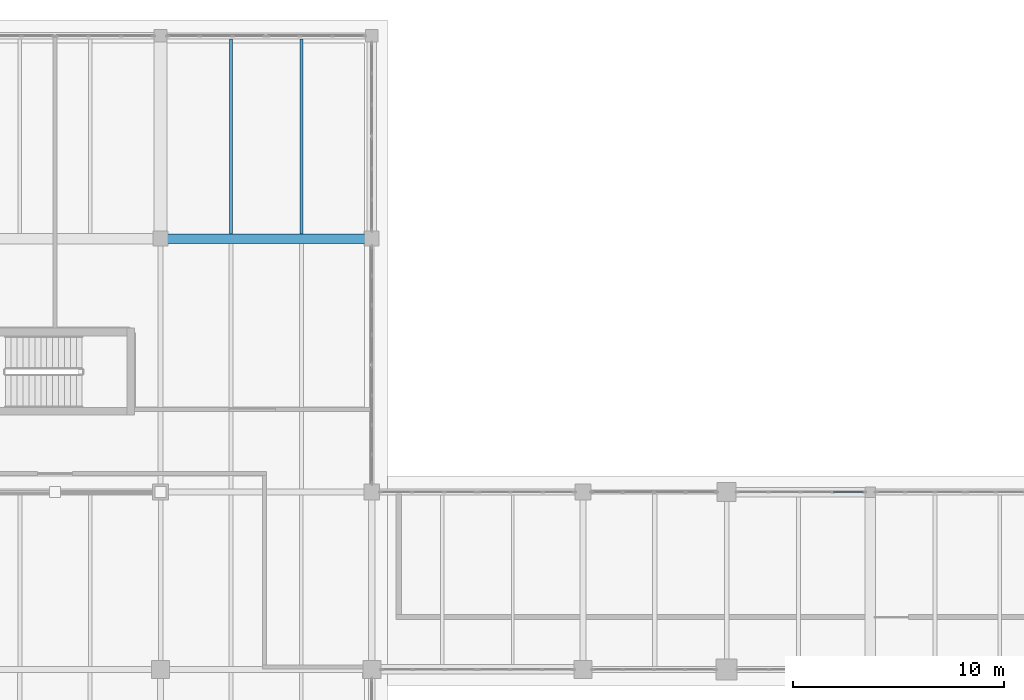
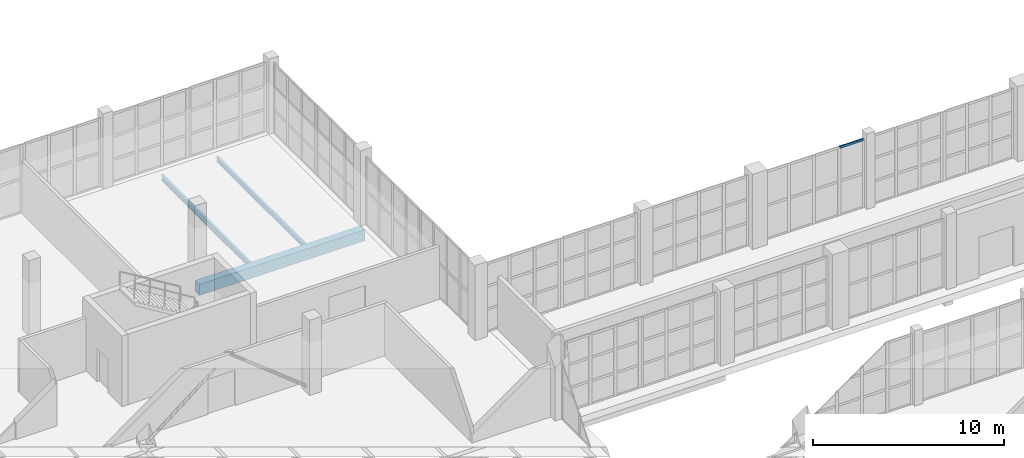
# One storey, part 53 of 121: 3 beams, 1 member, 1 element without a shape of its own.
"""IFC4 building model written with IfcOpenShell, lengths in metres."""

from ifc_helpers import new_model, si_unit, direction, frame, origin, origin_2d, place, context, subcontext, project, spatial, rectangle, i_section, extrude, material, layer, layer_set, material_profile, profile_set, type_object, element, aggregate, save


model = new_model("IFC4")

# Units and contexts
model_context = context("Model", 3, precision=1e-05, world=origin(), true_north=direction((0.0, 1.0)))
body_context = subcontext(model_context, "Body", "Model", "MODEL_VIEW")
ifc_project = project(units=[si_unit("LENGTHUNIT", "METRE"), si_unit("AREAUNIT", "SQUARE_METRE"), si_unit("VOLUMEUNIT", "CUBIC_METRE"), si_unit("PLANEANGLEUNIT", "RADIAN"), si_unit("MASSUNIT", "GRAM", prefix="KILO")], contexts=[model_context])

# Site, building, storey
site_placement = place(None, origin())
site = spatial("IfcSite", under=ifc_project, at=site_placement, CompositionType="ELEMENT")
building_placement = place(site_placement, origin())
building = spatial("IfcBuilding", under=site, at=building_placement, Name="Zereglee Splitstone Museum", CompositionType="ELEMENT")
storey_placement = place(building_placement, origin())
storey = spatial("IfcBuildingStorey", under=building, at=storey_placement, Name="L00", CompositionType="ELEMENT", Elevation=0.0)

# Beam
ifc_material_1 = material(Name="Concrete C40/50", Category="concrete")
ifc_material_profile_1 = material_profile(ifc_material_1, rectangle(XDim=0.449951171875, YDim=0.699951171875, at=origin_2d()), Name="RC 450x700")
ifc_profile_set_1 = profile_set([ifc_material_profile_1], Name="Concrete C40/50")
beam_type_1 = type_object("IfcBeamType", Name="BG-03", PredefinedType="BEAM", material=ifc_profile_set_1)
beam_1_placement = place(storey_placement, frame((195.199951171875, 50.39990234375, -0.77001953125), z_axis=(1.0, 0.0, 0.0), x_axis=(0.0, 1.0, 0.0)))
element("IfcBeam", 1, at=beam_1_placement, inside=storey, type_object=beam_type_1, Name="Primary Girder L00 F (195.2-205.2)", PredefinedType="BEAM", context=body_context, shape_type="SweptSolid", body=[
    extrude(rectangle(XDim=0.449951171875, YDim=0.699951171875, at=origin_2d()), origin(), (0.0, 0.0, 1.0), 10.0),
])

# Curtain wall, member
ifc_material_2 = material(Name="Triple-glazed low-E argon glass and bronze-anodised aluminium", Category="aluminium")
ifc_layer = layer(ifc_material_2, 0.179931640625)
ifc_layer_set = layer_set([ifc_layer], Name="Triple-glazed low-E argon glass and bronze-anodised aluminium")
curtain_wall_type = type_object("IfcCurtainWallType", Name="CW-0608-438", PredefinedType="USERDEFINED", material=ifc_layer_set)
curtain_wall_placement = place(storey_placement, origin())
curtain_wall = element("IfcCurtainWall", 2, at=curtain_wall_placement, inside=storey, type_object=curtain_wall_type, Name="Glazed Curtain Wall CW-0608-438 (L00)", ObjectType="GLAZED CURTAIN WALL", PredefinedType="USERDEFINED")
ifc_material_3 = material(Name="Thermally broken bronze-anodised aluminium", Category="aluminium")
ifc_material_profile_2 = material_profile(ifc_material_3, rectangle(XDim=0.06494140625, YDim=0.139892578125, at=origin_2d()), Name="CW TRAN 65x140")
ifc_profile_set_2 = profile_set([ifc_material_profile_2], Name="Thermally broken bronze-anodised aluminium")
member_type = type_object("IfcMemberType", Name="CWT-01", PredefinedType="USERDEFINED", material=ifc_profile_set_2)
member_placement = place(storey_placement, frame((228.47705078125, 38.39990234375, 4.347412109375), z_axis=(-1.0, 0.0, 0.0), x_axis=(0.0, -1.0, 0.0)))
member = element("IfcMember", 3, at=member_placement, type_object=member_type, Name="CW-0608-438 transom 1.3", ObjectType="TRANSOM", PredefinedType="USERDEFINED", context=body_context, shape_type="SweptSolid", body=[
    extrude(rectangle(XDim=0.06494140625, YDim=0.139892578125, at=origin_2d()), origin(), (0.0, 0.0, 1.0), 1.423583984375),
])
aggregate(curtain_wall, [member])

# Beams
ifc_material_4 = material(Name="Steel S355J2", Category="steel")
ifc_material_profile_3 = material_profile(ifc_material_4, i_section(OverallWidth=0.14990234375, OverallDepth=0.300048828125, WebThickness=0.007080078125, FlangeThickness=0.0107421875, FilletRadius=0.014892578125, at=origin_2d()), Name="IPE 300")
ifc_profile_set_3 = profile_set([ifc_material_profile_3], Name="Steel S355J2")
beam_type_2 = type_object("IfcBeamType", Name="BJ-06", PredefinedType="JOIST", material=ifc_profile_set_3)
beam_2_placement = place(storey_placement, frame((201.86669921875, 50.625, -0.570068359375), z_axis=(0.0, 1.0, 0.0), x_axis=(-1.0, 0.0, 0.0)))
element("IfcBeam", 4, at=beam_2_placement, inside=storey, type_object=beam_type_2, Name="Secondary Floor Joist L00-0418", PredefinedType="JOIST", context=body_context, shape_type="SweptSolid", body=[
    extrude(i_section(OverallWidth=0.14990234375, OverallDepth=0.300048828125, WebThickness=0.007080078125, FlangeThickness=0.0107421875, FilletRadius=0.014892578125, at=origin_2d()), origin(), (0.0, 0.0, 1.0), 9.235107421875),
])
ifc_material_profile_4 = material_profile(ifc_material_4, i_section(OverallWidth=0.159912109375, OverallDepth=0.330078125, WebThickness=0.007568359375, FlangeThickness=0.011474609375, FilletRadius=0.01806640625, at=origin_2d()), Name="IPE 330")
ifc_profile_set_4 = profile_set([ifc_material_profile_4], Name="Steel S355J2")
beam_type_3 = type_object("IfcBeamType", Name="BJ-05", PredefinedType="JOIST", material=ifc_profile_set_4)
beam_3_placement = place(storey_placement, frame((198.533203125, 50.625, -0.5849609375), z_axis=(0.0, 1.0, 0.0), x_axis=(-1.0, 0.0, 0.0)))
element("IfcBeam", 5, at=beam_3_placement, inside=storey, type_object=beam_type_3, Name="Secondary Floor Joist L00-0417", PredefinedType="JOIST", context=body_context, shape_type="SweptSolid", body=[
    extrude(i_section(OverallWidth=0.159912109375, OverallDepth=0.330078125, WebThickness=0.007568359375, FlangeThickness=0.011474609375, FilletRadius=0.01806640625, at=origin_2d()), origin(), (0.0, 0.0, 1.0), 9.235107421875),
])

save(model, "model.ifc")
